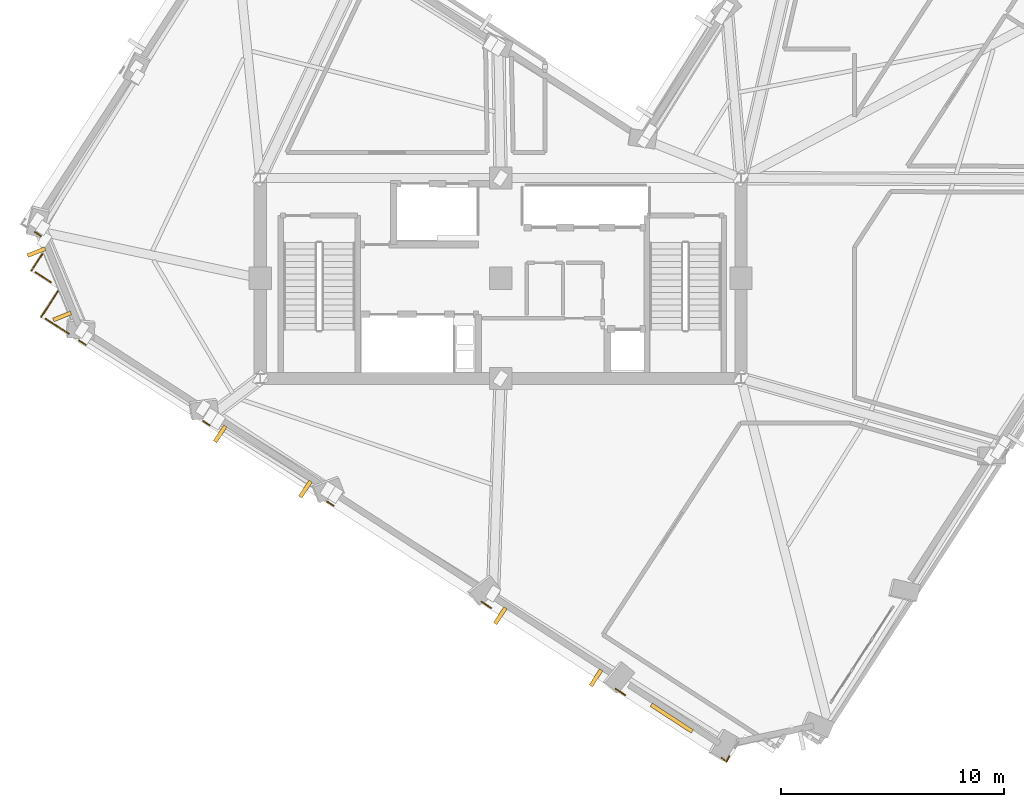
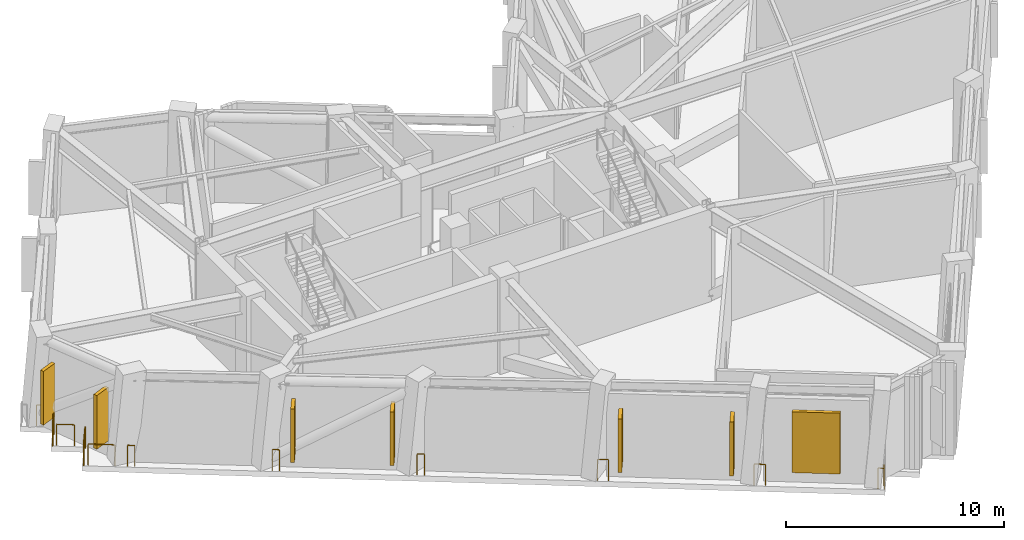
# One storey, part 7 of 11: 11 railings, 7 shading devices.
"""IFC4 building model written with IfcOpenShell, lengths in metres."""

from ifc_helpers import new_model, si_unit, direction, frame, origin, origin_2d, place, context, subcontext, project, spatial, rectangle, circle, extrude, material, layer, layer_set, type_object, element, save


model = new_model("IFC4")

# Units and contexts
model_context = context("Model", 3, precision=1e-05, world=origin(), true_north=direction((0.0, 1.0)))
body_context = subcontext(model_context, "Body", "Model", "MODEL_VIEW")
ifc_project = project(units=[si_unit("LENGTHUNIT", "METRE"), si_unit("AREAUNIT", "SQUARE_METRE"), si_unit("VOLUMEUNIT", "CUBIC_METRE"), si_unit("PLANEANGLEUNIT", "RADIAN"), si_unit("MASSUNIT", "GRAM", prefix="KILO")], contexts=[model_context])

# Site, building, storey
site_placement = place(None, origin())
site = spatial("IfcSite", under=ifc_project, at=site_placement, CompositionType="ELEMENT")
building_placement = place(site_placement, origin())
building = spatial("IfcBuilding", under=site, at=building_placement, Name="Gaonmaruhae Medical Tower", CompositionType="ELEMENT")
storey_placement = place(building_placement, frame((0.0, 0.0, 267.199951171875)))
storey = spatial("IfcBuildingStorey", under=building, at=storey_placement, Name="L64", CompositionType="ELEMENT", Elevation=267.199951171875)

# Railings
ifc_material_1 = material(Name="Stainless steel 316L and laminated safety glass", Category="steel")
ifc_layer = layer(ifc_material_1, 0.080078125)
ifc_layer_set = layer_set([ifc_layer], Name="Stainless steel 316L and laminated safety glass")
railing_type = type_object("IfcRailingType", Name="GD-120 Outdoor Terrace Safety Glass & Steel Balustrade", PredefinedType="BALUSTRADE", material=ifc_layer_set)
railing_1_placement = place(storey_placement, frame((3.880615234375, 14.37451171875, 0.0)))
element("IfcRailing", 1, at=railing_1_placement, inside=storey, type_object=railing_type, Name="L64 Perimeter Slab Edge Safety Balustrade 10", PredefinedType="BALUSTRADE", context=body_context, shape_type="SweptSolid", body=[
    extrude(circle(Radius=0.02392578125, at=origin_2d()), frame((0.0, 0.0, 1.17578125), z_axis=(0.838546052532, -0.544830723971, 0.0), x_axis=(0.544830723971, 0.838546052532, 0.0)), (0.0, 0.0, 1.0), 0.32666015625),
    extrude(circle(Radius=0.02099609375, at=origin_2d()), origin(), (0.0, 0.0, 1.0), 1.15185546875),
    extrude(circle(Radius=0.02099609375, at=origin_2d()), frame((0.27392578125, -0.177978515625, 0.0)), (0.0, 0.0, 1.0), 1.15185546875),
])
railing_2_placement = place(storey_placement, frame((4.207763671875, 13.37890625, 0.0)))
element("IfcRailing", 2, at=railing_2_placement, inside=storey, type_object=railing_type, Name="L64 Perimeter Slab Edge Safety Balustrade 11", PredefinedType="BALUSTRADE", context=body_context, shape_type="SweptSolid", body=[
    extrude(circle(Radius=0.02392578125, at=origin_2d()), frame((0.0, 0.0, 1.17578125), z_axis=(-0.544757748153, -0.838593462786, 0.0), x_axis=(0.838593462786, -0.544757748153, 0.0)), (0.0, 0.0, 1.0), 0.893310546875),
    extrude(circle(Radius=0.02099609375, at=origin_2d()), origin(), (0.0, 0.0, 1.0), 1.15185546875),
    extrude(circle(Radius=0.02099609375, at=origin_2d()), frame((-0.486572265625, -0.7490234375, 0.0)), (0.0, 0.0, 1.0), 1.15185546875),
])
railing_3_placement = place(storey_placement, frame((3.90234375, 12.57177734375, 0.0)))
element("IfcRailing", 3, at=railing_3_placement, inside=storey, type_object=railing_type, Name="L64 Perimeter Slab Edge Safety Balustrade 12", PredefinedType="BALUSTRADE", context=body_context, shape_type="SweptSolid", body=[
    extrude(circle(Radius=0.02392578125, at=origin_2d()), frame((0.0, 0.0, 1.17578125), z_axis=(0.838713403195, -0.544573068835, 0.0), x_axis=(0.544573068835, 0.838713403195, 0.0)), (0.0, 0.0, 1.0), 0.82666015625),
    extrude(circle(Radius=0.02099609375, at=origin_2d()), origin(), (0.0, 0.0, 1.0), 1.15185546875),
    extrude(circle(Radius=0.02099609375, at=origin_2d()), frame((0.693359375, -0.4501953125, 0.0)), (0.0, 0.0, 1.0), 1.15185546875),
])
railing_4_placement = place(storey_placement, frame((4.921142578125, 11.723388671875, 0.0)))
element("IfcRailing", 4, at=railing_4_placement, inside=storey, type_object=railing_type, Name="L64 Perimeter Slab Edge Safety Balustrade 13", PredefinedType="BALUSTRADE", context=body_context, shape_type="SweptSolid", body=[
    extrude(circle(Radius=0.02392578125, at=origin_2d()), frame((0.0, 0.0, 1.17578125), z_axis=(-0.544551022632, -0.83872771729, 0.0), x_axis=(0.83872771729, -0.544551022632, 0.0)), (0.0, 0.0, 1.0), 1.393310546875),
    extrude(circle(Radius=0.02099609375, at=origin_2d()), origin(), (0.0, 0.0, 1.0), 1.15185546875),
    extrude(circle(Radius=0.02099609375, at=origin_2d()), frame((-0.7587890625, -1.168701171875, 0.0)), (0.0, 0.0, 1.0), 1.15185546875),
])
railing_5_placement = place(storey_placement, frame((4.36474609375, 10.48291015625, 0.0)))
element("IfcRailing", 5, at=railing_5_placement, inside=storey, type_object=railing_type, Name="L64 Perimeter Slab Edge Safety Balustrade 14", PredefinedType="BALUSTRADE", context=body_context, shape_type="SweptSolid", body=[
    extrude(circle(Radius=0.02392578125, at=origin_2d()), frame((0.0, 0.0, 1.17578125), z_axis=(0.838668969916, -0.544641495757, 0.0), x_axis=(0.544641495757, 0.838668969916, 0.0)), (0.0, 0.0, 1.0), 1.2373046875),
    extrude(circle(Radius=0.02099609375, at=origin_2d()), origin(), (0.0, 0.0, 1.0), 1.15185546875),
    extrude(circle(Radius=0.02099609375, at=origin_2d()), frame((1.03759765625, -0.673828125, 0.0)), (0.0, 0.0, 1.0), 1.15185546875),
])
for number, where, name in (
    (6, (5.870361328125, 9.505126953125, 0.0), "L64 Perimeter Slab Edge Safety Balustrade 15"),
    (7, (11.44091796875, 5.8876953125, 0.0), "L64 Perimeter Slab Edge Safety Balustrade 16"),
):
    element("IfcRailing", number, at=place(storey_placement, frame(where)), inside=storey, type_object=railing_type, Name=name, PredefinedType="BALUSTRADE", context=body_context, shape_type="SweptSolid", body=[
        extrude(circle(Radius=0.02392578125, at=origin_2d()), frame((0.0, 0.0, 1.17578125), z_axis=(0.838739315853, -0.544533157891, 0.0), x_axis=(0.544533157891, 0.838739315853, 0.0)), (0.0, 0.0, 1.0), 0.33935546875),
        extrude(circle(Radius=0.02099609375, at=origin_2d()), origin(), (0.0, 0.0, 1.0), 1.15185546875),
        extrude(circle(Radius=0.02099609375, at=origin_2d()), frame((0.28466796875, -0.184814453125, 0.0)), (0.0, 0.0, 1.0), 1.15185546875),
    ])
railing_6_placement = place(storey_placement, frame((17.01123046875, 2.270263671875, 0.0)))
element("IfcRailing", 8, at=railing_6_placement, inside=storey, type_object=railing_type, Name="L64 Perimeter Slab Edge Safety Balustrade 17", PredefinedType="BALUSTRADE", context=body_context, shape_type="SweptSolid", body=[
    extrude(circle(Radius=0.02392578125, at=origin_2d()), frame((0.0, 0.0, 1.17578125), z_axis=(0.838410758423, -0.545038897842, 0.0), x_axis=(0.545038897842, 0.838410758423, 0.0)), (0.0, 0.0, 1.0), 0.339599609375),
    extrude(circle(Radius=0.02099609375, at=origin_2d()), origin(), (0.0, 0.0, 1.0), 1.15185546875),
    extrude(circle(Radius=0.02099609375, at=origin_2d()), frame((0.28466796875, -0.18505859375, 0.0)), (0.0, 0.0, 1.0), 1.15185546875),
])
railing_7_placement = place(storey_placement, frame((23.9365234375, -2.227294921875, 0.0)))
element("IfcRailing", 9, at=railing_7_placement, inside=storey, type_object=railing_type, Name="L64 Perimeter Slab Edge Safety Balustrade 18", PredefinedType="BALUSTRADE", context=body_context, shape_type="SweptSolid", body=[
    extrude(circle(Radius=0.02392578125, at=origin_2d()), frame((0.0, 0.0, 1.17578125), z_axis=(0.838862581666, -0.544343245646, 0.0), x_axis=(0.544343245646, 0.838862581666, 0.0)), (0.0, 0.0, 1.0), 0.518798828125),
    extrude(circle(Radius=0.02099609375, at=origin_2d()), origin(), (0.0, 0.0, 1.0), 1.15185546875),
    extrude(circle(Radius=0.02099609375, at=origin_2d()), frame((0.435302734375, -0.282470703125, 0.0)), (0.0, 0.0, 1.0), 1.15185546875),
])
railing_8_placement = place(storey_placement, frame((29.95849609375, -6.137939453125, 0.0)))
element("IfcRailing", 10, at=railing_8_placement, inside=storey, type_object=railing_type, Name="L64 Perimeter Slab Edge Safety Balustrade 19", PredefinedType="BALUSTRADE", context=body_context, shape_type="SweptSolid", body=[
    extrude(circle(Radius=0.02392578125, at=origin_2d()), frame((0.0, 0.0, 1.17578125), z_axis=(0.838647737328, -0.54467418947, 0.0), x_axis=(0.54467418947, 0.838647737328, 0.0)), (0.0, 0.0, 1.0), 0.51904296875),
    extrude(circle(Radius=0.02099609375, at=origin_2d()), origin(), (0.0, 0.0, 1.0), 1.15185546875),
    extrude(circle(Radius=0.02099609375, at=origin_2d()), frame((0.435302734375, -0.28271484375, 0.0)), (0.0, 0.0, 1.0), 1.15185546875),
])
railing_9_placement = place(storey_placement, frame((34.7255859375, -9.233642578125, 0.0)))
element("IfcRailing", 11, at=railing_9_placement, inside=storey, type_object=railing_type, Name="L64 Perimeter Corner Safety Balustrade 23", PredefinedType="BALUSTRADE", context=body_context, shape_type="SweptSolid", body=[
    extrude(circle(Radius=0.02392578125, at=origin_2d()), frame((0.0, 0.0, 1.17578125), z_axis=(0.766056486755, -0.642773256367, 0.0), x_axis=(0.642773256367, 0.766056486755, 0.0)), (0.0, 0.0, 1.0), 0.287109375),
    extrude(circle(Radius=0.02392578125, at=origin_2d()), frame((0.219970703125, -0.1845703125, 1.17578125), z_axis=(0.438004671918, 0.898972695568, 0.0), x_axis=(-0.898972695568, 0.438004671918, 0.0)), (0.0, 0.0, 1.0), 0.287109375),
    extrude(circle(Radius=0.02099609375, at=origin_2d()), origin(), (0.0, 0.0, 1.0), 1.15185546875),
    extrude(circle(Radius=0.02099609375, at=origin_2d()), frame((0.219970703125, -0.1845703125, 0.0)), (0.0, 0.0, 1.0), 1.15185546875),
    extrude(circle(Radius=0.02099609375, at=origin_2d()), frame((0.345703125, 0.073486328125, 0.0)), (0.0, 0.0, 1.0), 1.15185546875),
])

# Shading devices
ifc_material_2 = material(Name="Pigmented coral precast concrete C45/55", Category="concrete")
shading_device_type_1 = type_object("IfcShadingDeviceType", Name="SD-FIN1 Tower Vertical Coral Precast Shading Fin", PredefinedType="USERDEFINED", material=ifc_material_2)
for number, where, z_axis, x_axis, name in (
    (12, (5.103271484375, 10.586669921875, 0.83251953125), (0.0, 0.0, 1.0), (-0.371076124803, 0.928602449706, 0.0), "L64 Vertical Coral Precast Shading Fin N03"),
    (13, (3.949951171875, 13.47265625, 0.83251953125), (0.0, 0.0, 1.0), (-0.371076124803, 0.928602449706, 0.0), "L64 Vertical Coral Precast Shading Fin N03B"),
    (14, (16.030029296875, 2.829833984375, 0.822509765625), (0.0, 0.0, 1.0), (-0.838670567945, 0.544639035015, 0.0), "L64 Vertical Coral Precast Shading Fin W02"),
    (15, (12.205078125, 5.313720703125, 0.822509765625), (0.0, 0.0, 1.0), (-0.838670567945, 0.544639035015, 0.0), "L64 Vertical Coral Precast Shading Fin W02B"),
    (16, (29.08447265625, -5.647705078125, 0.822509765625), (0.0, 0.0, 1.0), (-0.838670567945, 0.544639035015, 0.0), "L64 Vertical Coral Precast Shading Fin W04"),
    (17, (24.7861328125, -2.8564453125, 0.822509765625), (0.0, 0.0, 1.0), (-0.838670567945, 0.544639035015, 0.0), "L64 Vertical Coral Precast Shading Fin W04B"),
):
    element("IfcShadingDevice", number, at=place(storey_placement, frame(where, z_axis=z_axis, x_axis=x_axis)), inside=storey, type_object=shading_device_type_1, Name=name, ObjectType="FIN", PredefinedType="USERDEFINED", context=body_context, shape_type="SweptSolid", body=[
        extrude(rectangle(XDim=0.179931640625, YDim=0.85009765625, at=origin_2d()), origin(), (0.0, 0.0, 1.0), 3.0),
    ])
ifc_material_3 = material(Name="Anodised aluminium louvre", Category="aluminium")
shading_device_type_2 = type_object("IfcShadingDeviceType", Name="SD-LVR2 Refuge Mechanical Acoustic Louvre", PredefinedType="USERDEFINED", material=ifc_material_3)
shading_device_placement = place(storey_placement, frame((32.486572265625, -7.457763671875, 0.632568359375), z_axis=(0.0, 0.0, 1.0), x_axis=(-0.838680073562, 0.544624397369, 0.0)))
element("IfcShadingDevice", 18, at=shading_device_placement, inside=storey, type_object=shading_device_type_2, Name="L64 Refuge Mechanical Louvre W05", ObjectType="LOUVRE", PredefinedType="USERDEFINED", context=body_context, shape_type="SweptSolid", body=[
    extrude(rectangle(XDim=2.199951171875, YDim=0.179931640625, at=origin_2d()), origin(), (0.0, 0.0, 1.0), 3.39990234375),
])

save(model, "model.ifc")
